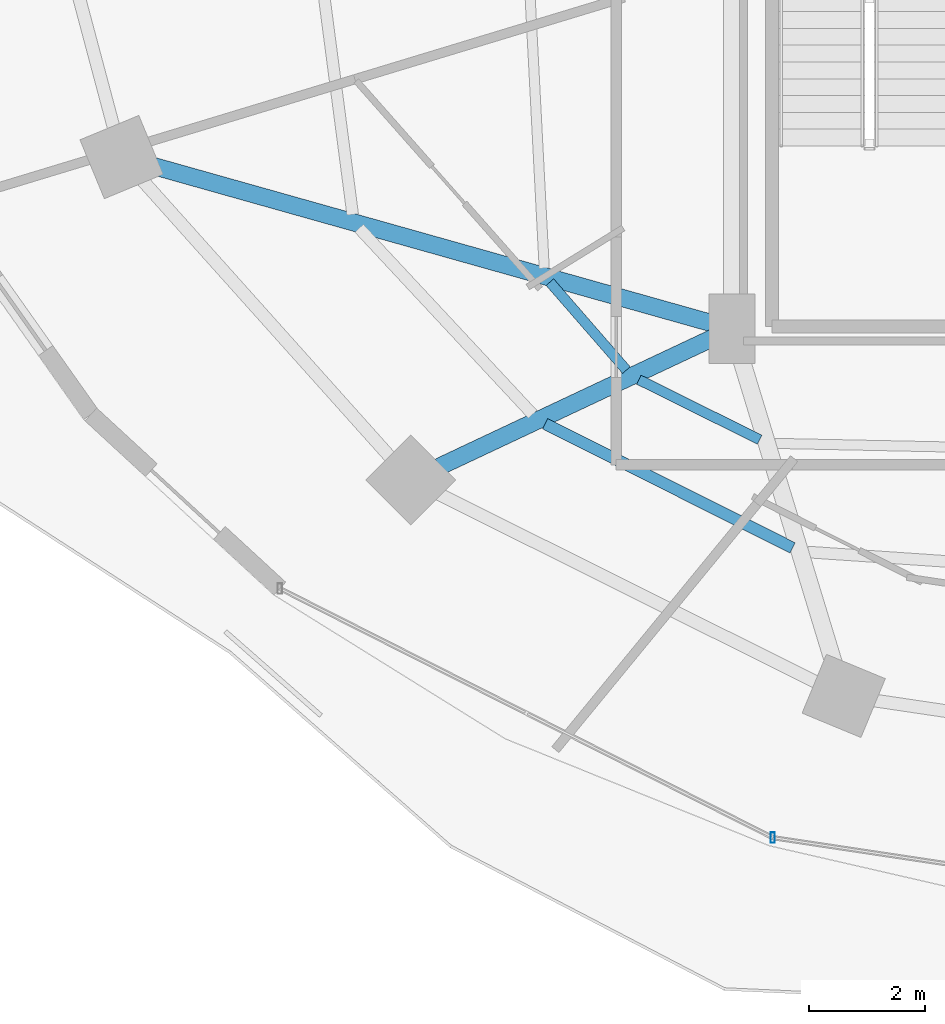
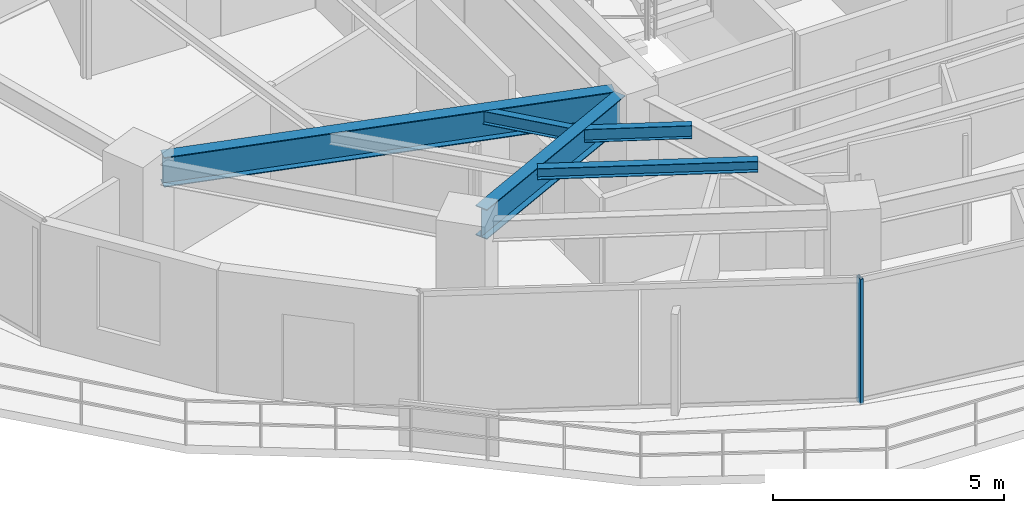
# One storey, part 4 of 29: 5 beams, 1 member, 1 element without a shape of its own.
"""IFC4 building model written with IfcOpenShell, lengths in metres."""

from ifc_helpers import new_model, si_unit, direction, frame, origin, origin_2d, place, context, subcontext, project, spatial, hollow_rectangle, i_section, extrude, material, material_profile, profile_set, type_object, element, aggregate, save


model = new_model("IFC4")

# Units and contexts
model_context = context("Model", 3, precision=1e-05, world=origin(), true_north=direction((0.0, 1.0)))
body_context = subcontext(model_context, "Body", "Model", "MODEL_VIEW")
ifc_project = project(units=[si_unit("LENGTHUNIT", "METRE"), si_unit("AREAUNIT", "SQUARE_METRE"), si_unit("VOLUMEUNIT", "CUBIC_METRE"), si_unit("PLANEANGLEUNIT", "RADIAN"), si_unit("MASSUNIT", "GRAM", prefix="KILO")], contexts=[model_context])

# Site, building, storey
site_placement = place(None, origin())
site = spatial("IfcSite", under=ifc_project, at=site_placement, CompositionType="ELEMENT")
building_placement = place(site_placement, origin())
building = spatial("IfcBuilding", under=site, at=building_placement, Name="Vorneva Point Tower", CompositionType="ELEMENT")
storey_placement = place(building_placement, frame((0.0, 0.0, 117.300048828125)))
storey = spatial("IfcBuildingStorey", under=building, at=storey_placement, Name="L31", CompositionType="ELEMENT", Elevation=117.300048828125)

# Beams
ifc_material_1 = material(Name="Steel S355", Category="steel")
ifc_material_profile_1 = material_profile(ifc_material_1, i_section(OverallWidth=0.300048828125, OverallDepth=0.7880859375, WebThickness=0.014404296875, FlangeThickness=0.02197265625, at=origin_2d()), Name="80Sh1")
ifc_profile_set_1 = profile_set([ifc_material_profile_1], Name="Steel S355")
beam_type_1 = type_object("IfcBeamType", Name="BM-GRD-80Sh1", PredefinedType="USERDEFINED", material=ifc_profile_set_1)
beam_1_placement = place(storey_placement, frame((17.222412109375, 19.272216796875, 2.845947265625), z_axis=(0.962598038366, -0.270933601708, 0.0), x_axis=(0.270933601708, 0.962598038366, 0.0)))
element("IfcBeam", 1, at=beam_1_placement, inside=storey, type_object=beam_type_1, Name="L31 Radial Primary Girder 10", ObjectType="GIRDER", PredefinedType="USERDEFINED", context=body_context, shape_type="SweptSolid", body=[
    extrude(i_section(OverallWidth=0.300048828125, OverallDepth=0.7880859375, WebThickness=0.014404296875, FlangeThickness=0.02197265625, at=origin_2d()), origin(), (0.0, 0.0, 1.0), 10.0771484375),
])
beam_2_placement = place(storey_placement, frame((22.18798828125, 14.06689453125, 2.845947265625), z_axis=(0.904751304927, 0.425940226126, 0.0), x_axis=(-0.425940226126, 0.904751304927, 0.0)))
element("IfcBeam", 2, at=beam_2_placement, inside=storey, type_object=beam_type_1, Name="L31 Radial Primary Girder 11", ObjectType="GIRDER", PredefinedType="USERDEFINED", context=body_context, shape_type="SweptSolid", body=[
    extrude(i_section(OverallWidth=0.300048828125, OverallDepth=0.7880859375, WebThickness=0.014404296875, FlangeThickness=0.02197265625, at=origin_2d()), origin(), (0.0, 0.0, 1.0), 5.2548828125),
])
ifc_material_profile_2 = material_profile(ifc_material_1, i_section(OverallWidth=0.199951171875, OverallDepth=0.291015625, WebThickness=0.008056640625, FlangeThickness=0.010986328125, at=origin_2d()), Name="30Sh1")
ifc_profile_set_2 = profile_set([ifc_material_profile_2], Name="Steel S355")
beam_type_2 = type_object("IfcBeamType", Name="BM-SEC-30Sh1", PredefinedType="BEAM", material=ifc_profile_set_2)
beam_3_placement = place(storey_placement, frame((24.02294921875, 14.810791015625, 3.094482421875), z_axis=(0.89376245769, -0.448540599304, 0.0), x_axis=(0.448540599304, 0.89376245769, 0.0)))
element("IfcBeam", 3, at=beam_3_placement, inside=storey, type_object=beam_type_2, Name="L31 Secondary Floor Beam 1.11", PredefinedType="BEAM", context=body_context, shape_type="SweptSolid", body=[
    extrude(i_section(OverallWidth=0.199951171875, OverallDepth=0.291015625, WebThickness=0.008056640625, FlangeThickness=0.010986328125, at=origin_2d()), origin(), (0.0, 0.0, 1.0), 4.78173828125),
])
ifc_material_profile_3 = material_profile(ifc_material_1, i_section(OverallWidth=0.174072265625, OverallDepth=0.345947265625, WebThickness=0.006103515625, FlangeThickness=0.009033203125, at=origin_2d()), Name="35B1")
ifc_profile_set_3 = profile_set([ifc_material_profile_3], Name="Steel S355")
beam_type_3 = type_object("IfcBeamType", Name="BM-SEC-35B1", PredefinedType="BEAM", material=ifc_profile_set_3)
beam_4_placement = place(storey_placement, frame((24.103271484375, 17.257080078125, 3.06689453125), z_axis=(0.656502765407, -0.7543236169, 0.0), x_axis=(0.7543236169, 0.656502765407, 0.0)))
element("IfcBeam", 4, at=beam_4_placement, inside=storey, type_object=beam_type_3, Name="L31 Secondary Floor Beam 2.10", PredefinedType="BEAM", context=body_context, shape_type="SweptSolid", body=[
    extrude(i_section(OverallWidth=0.174072265625, OverallDepth=0.345947265625, WebThickness=0.006103515625, FlangeThickness=0.009033203125, at=origin_2d()), origin(), (0.0, 0.0, 1.0), 2.01416015625),
])
beam_5_placement = place(storey_placement, frame((25.6396484375, 15.572509765625, 3.06689453125), z_axis=(0.89565974577, -0.444739946268, 0.0), x_axis=(0.444739946268, 0.89565974577, 0.0)))
element("IfcBeam", 5, at=beam_5_placement, inside=storey, type_object=beam_type_3, Name="L31 Secondary Floor Beam 2.11", PredefinedType="BEAM", context=body_context, shape_type="SweptSolid", body=[
    extrude(i_section(OverallWidth=0.174072265625, OverallDepth=0.345947265625, WebThickness=0.006103515625, FlangeThickness=0.009033203125, at=origin_2d()), origin(), (0.0, 0.0, 1.0), 2.330810546875),
])

# Curtain wall, member
ifc_material_2 = material(Name="Pale anodised aluminium", Category="aluminium")
curtain_wall_type = type_object("IfcCurtainWallType", Name="CW-HTL-SYS", PredefinedType="NOTDEFINED", material=ifc_material_2)
curtain_wall_placement = place(storey_placement, origin())
curtain_wall = element("IfcCurtainWall", 6, at=curtain_wall_placement, inside=storey, type_object=curtain_wall_type, Name="L31 Unitised Curtain Wall CW-L31-R03", PredefinedType="NOTDEFINED")
ifc_material_profile_4 = material_profile(ifc_material_2, hollow_rectangle(XDim=0.074951171875, YDim=0.179931640625, WallThickness=0.00390625, at=origin_2d()), Name="AL-MUL 180x75x4")
ifc_profile_set_4 = profile_set([ifc_material_profile_4], Name="Pale anodised aluminium")
member_type = type_object("IfcMemberType", Name="CW-MUL-180", PredefinedType="MULLION", material=ifc_profile_set_4)
member_placement = place(storey_placement, frame((27.95458984375, 7.660888671875, -0.0400390625), z_axis=(0.0, 0.0, 1.0), x_axis=(1.0, 0.0, 0.0)))
member = element("IfcMember", 7, at=member_placement, type_object=member_type, Name="CW-L31-R03 Mullion 02", PredefinedType="MULLION", context=body_context, shape_type="SweptSolid", body=[
    extrude(hollow_rectangle(XDim=0.074951171875, YDim=0.179931640625, WallThickness=0.00390625, at=origin_2d()), origin(), (0.0, 0.0, 1.0), 3.31005859375),
])
aggregate(curtain_wall, [member])

save(model, "model.ifc")
